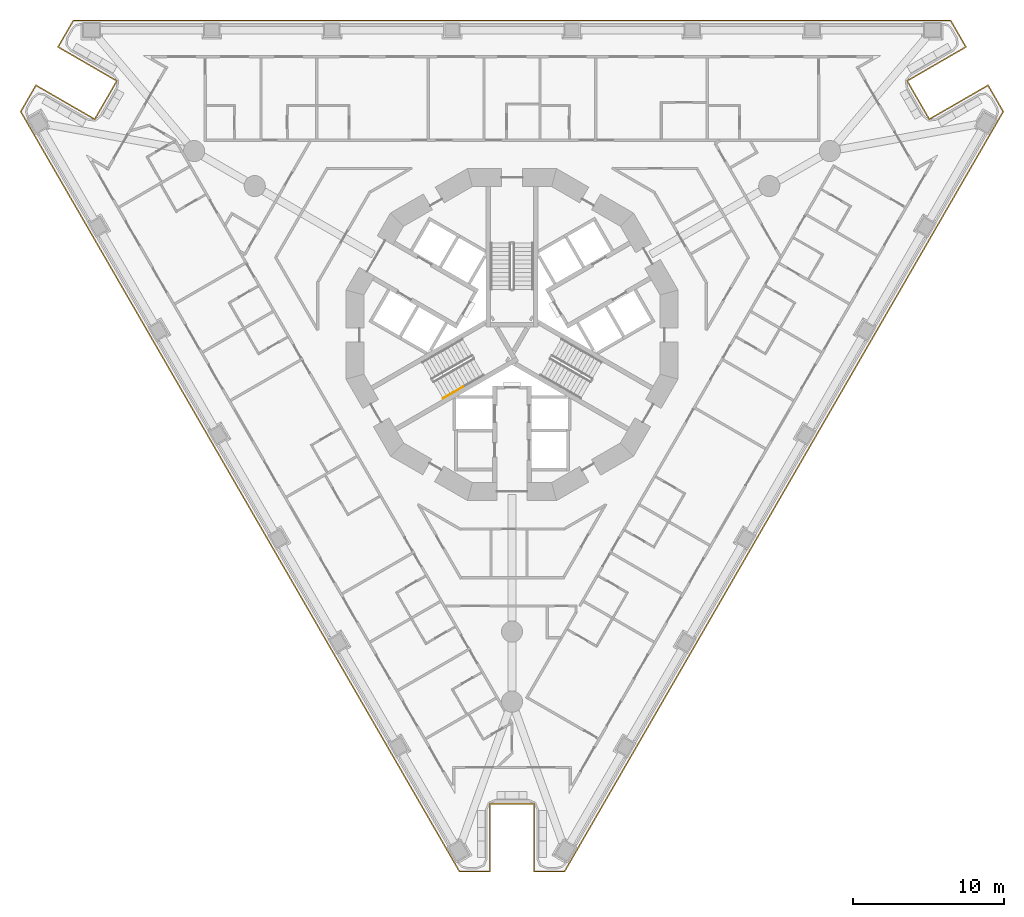
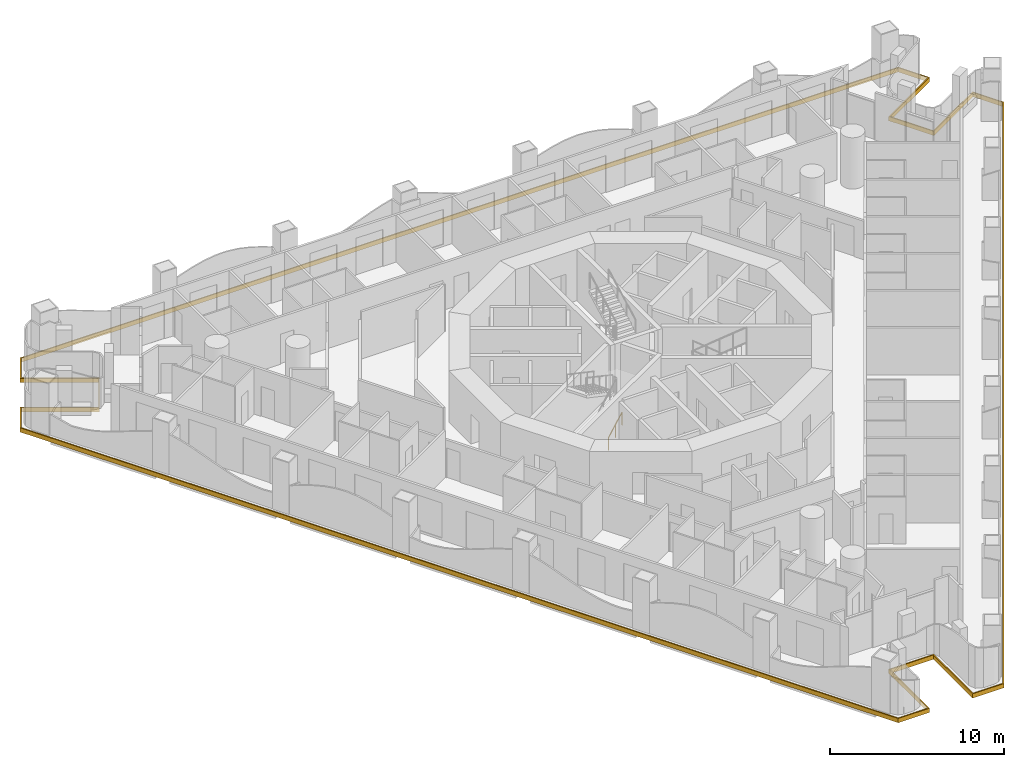
# One storey, part 12 of 19: 1 covering, 1 railing.
"""IFC4 building model written with IfcOpenShell, lengths in metres."""

from ifc_helpers import new_model, si_unit, direction, frame, origin, origin_2d, place, context, subcontext, project, spatial, polyline, circle, outline, extrude, material, layer, layer_set, type_object, element, save


model = new_model("IFC4")

# Units and contexts
model_context = context("Model", 3, precision=1e-05, world=origin(), true_north=direction((0.0, 1.0)))
body_context = subcontext(model_context, "Body", "Model", "MODEL_VIEW")
ifc_project = project(units=[si_unit("LENGTHUNIT", "METRE"), si_unit("AREAUNIT", "SQUARE_METRE"), si_unit("VOLUMEUNIT", "CUBIC_METRE"), si_unit("PLANEANGLEUNIT", "RADIAN"), si_unit("MASSUNIT", "GRAM", prefix="KILO")], contexts=[model_context])

# Site, building, storey
site_placement = place(None, origin())
site = spatial("IfcSite", under=ifc_project, at=site_placement, CompositionType="ELEMENT")
building_placement = place(site_placement, origin())
building = spatial("IfcBuilding", under=site, at=building_placement, Name="Trine Commons Tower", CompositionType="ELEMENT")
storey_placement = place(building_placement, frame((0.0, 0.0, 31.5)))
storey = spatial("IfcBuildingStorey", under=building, at=storey_placement, Name="L06", CompositionType="ELEMENT", Elevation=31.5)

# Covering
ifc_material_1 = material(Name="Limestone, honed", Category="masonry")
ifc_layer = layer(ifc_material_1, 0.074951171875)
ifc_layer_set = layer_set([ifc_layer], Name="Limestone, honed")
covering_type = type_object("IfcCoveringType", Name="Limestone spandrel panel 75", PredefinedType="CLADDING", material=ifc_layer_set)
covering_placement = place(storey_placement, frame((0.0, 0.0, -0.300048828125)))
element("IfcCovering", 1, at=covering_placement, inside=storey, type_object=covering_type, Name="Limestone spandrel panel 1-01", PredefinedType="CLADDING", context=body_context, shape_type="SweptSolid", body=[
    extrude(outline(polyline([(81.425048828125, 31.355712890625), (81.425048828125, 26.855712890625), (83.50732421875, 26.855712890625), (112.62255859375, 77.28466796875), (111.581298828125, 79.087890625), (107.68408203125, 76.837890625), (106.25927734375, 79.30615234375), (110.15625, 81.55615234375), (109.114990234375, 83.359619140625), (50.885009765625, 83.359619140625), (49.84375, 81.55615234375), (53.74072265625, 79.30615234375), (52.31591796875, 76.837890625), (48.418701171875, 79.087890625), (47.37744140625, 77.28466796875), (76.49267578125, 26.855712890625), (78.574951171875, 26.855712890625), (78.574951171875, 31.355712890625), (81.425048828125, 31.355712890625)]), holes=[polyline([(111.5537109375, 78.985595703125), (112.535888671875, 77.28466796875), (83.464111328125, 26.930908203125), (81.5, 26.930908203125), (81.5, 31.430908203125), (78.5, 31.430908203125), (78.5, 26.930908203125), (76.535888671875, 26.930908203125), (47.464111328125, 77.28466796875), (48.4462890625, 78.985595703125), (52.34326171875, 76.735595703125), (53.84326171875, 79.33349609375), (49.9462890625, 81.58349609375), (50.92822265625, 83.28466796875), (109.07177734375, 83.28466796875), (110.0537109375, 81.58349609375), (106.15673828125, 79.33349609375), (107.65673828125, 76.735595703125), (111.5537109375, 78.985595703125)])]), origin(), (0.0, 0.0, 1.0), 0.300048828125),
])

# Railing
ifc_material_2 = material(Name="Stainless steel handrail", Category="steel")
railing_type = type_object("IfcRailingType", Name="Stair handrail, steel 900", PredefinedType="HANDRAIL", material=ifc_material_2)
railing_placement = place(storey_placement, frame((75.43017578125, 58.27392578125, 0.14990234375)))
element("IfcRailing", 2, at=railing_placement, inside=storey, type_object=railing_type, Name="L06 ST2A stair handrail 1", PredefinedType="HANDRAIL", context=body_context, shape_type="SweptSolid", body=[
    extrude(circle(Radius=0.02099609375, at=origin_2d()), frame((0.0, 0.0, 0.87890625), z_axis=(0.763354580307, 0.440713956853, 0.472293333596), x_axis=(-0.499992328818, 0.866029832698, 0.0)), (0.0, 0.0, 1.0), 1.747314453125),
    extrude(circle(Radius=0.01513671875, at=origin_2d()), origin(), (0.0, 0.0, 1.0), 0.85791015625),
    extrude(circle(Radius=0.01513671875, at=origin_2d()), frame((0.6669921875, 0.385009765625, 0.41259765625)), (0.0, 0.0, 1.0), 0.85791015625),
    extrude(circle(Radius=0.01513671875, at=origin_2d()), frame((1.333740234375, 0.77001953125, 0.8251953125)), (0.0, 0.0, 1.0), 0.85791015625),
])

save(model, "model.ifc")
